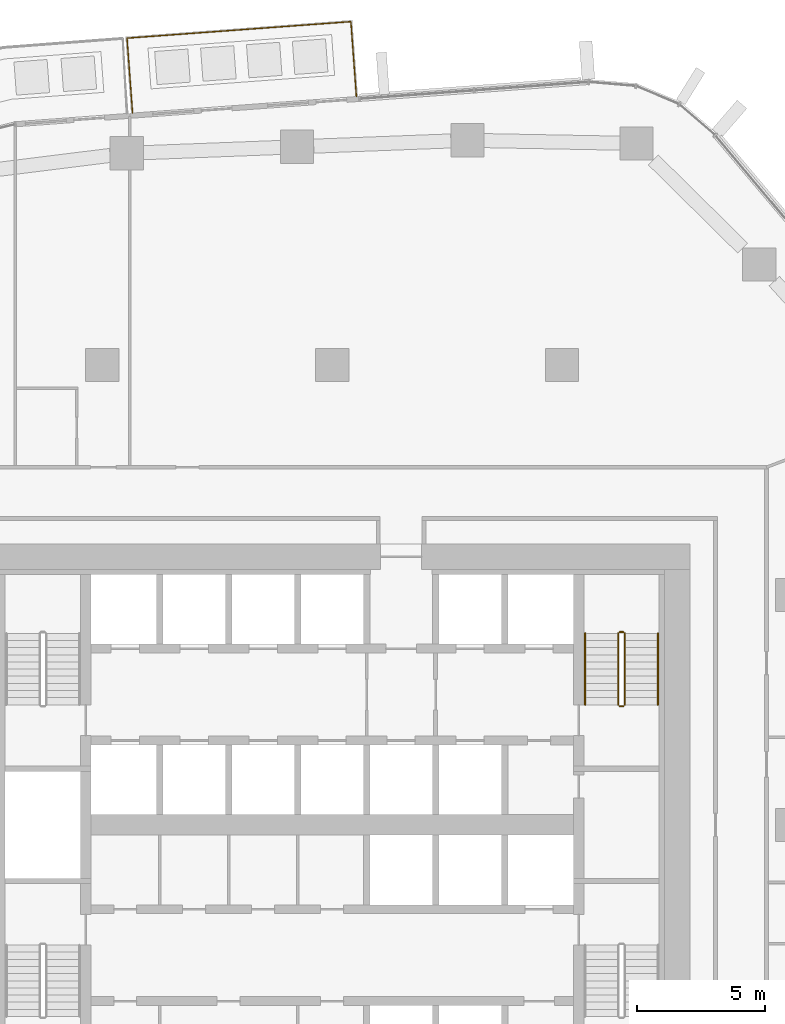
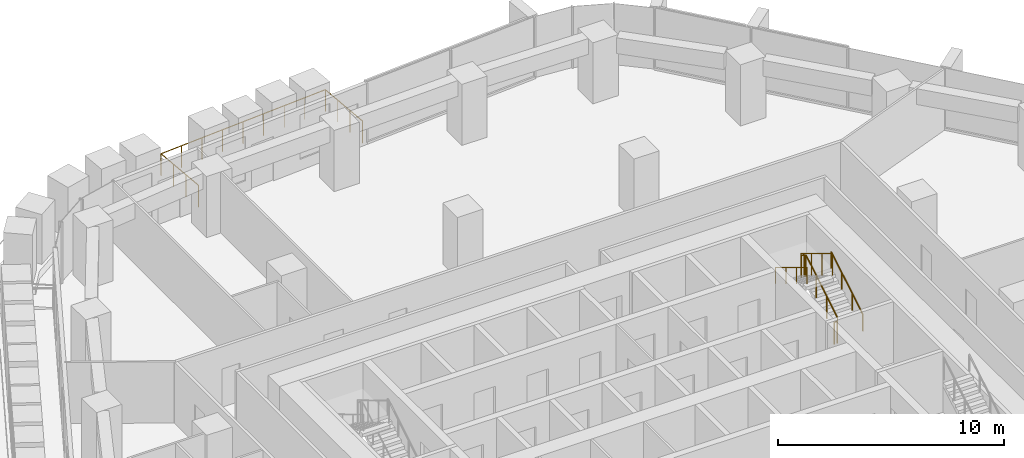
# One storey, part 22 of 23: 7 railings.
"""IFC4 building model written with IfcOpenShell, lengths in metres."""

import ifcopenshell
import ifcopenshell.guid

model = None  # the IFC model being written
_history = None  # IfcOwnerHistory: only IFC2X3 demands one
_inside = {}  # id of a spatial element -> (the spatial element, [elements in it])
_under = {}  # id of a project, library or spatial element -> (it, [spatial elements below it])
_declared = {}  # id of a project -> (the project, [libraries it declares])
_typed = {}  # id of a type object -> (the type object, [elements of that type])
_made_of = {}  # id of a material, layer set ... -> (it, [elements and type objects made of it])


def new_model(schema):
    """Start an empty IFC model of exactly this schema.

    Asked for "IFC4X3", IfcOpenShell would pick the latest addendum, in which some entities
    have other attributes; the version numbers below select the first issue.
    IFC2X3 requires an IfcOwnerHistory on every rooted entity: one is made here for all.
    """
    global model, _history
    if schema == "IFC4X3":
        model = ifcopenshell.file(schema_version=(4, 3, 0, 0))
    else:
        model = ifcopenshell.file(schema=schema)
    _inside.clear()
    _under.clear()
    _declared.clear()
    _typed.clear()
    _made_of.clear()
    _history = None
    if model.schema == "IFC2X3":
        org = make("IfcOrganization", Name="unknown")
        user = make(
            "IfcPersonAndOrganization",
            ThePerson=make("IfcPerson", FamilyName="unknown"),
            TheOrganization=org,
        )
        app = make(
            "IfcApplication",
            ApplicationDeveloper=org,
            Version="unknown",
            ApplicationFullName="unknown",
            ApplicationIdentifier="unknown",
        )
        _history = make(
            "IfcOwnerHistory",
            OwningUser=user,
            OwningApplication=app,
            ChangeAction="ADDED",
            CreationDate=0,
        )
    return model


def make(cls, **values):
    """One entity of the class cls with the attributes given. An attribute that is None is left unset."""
    return model.create_entity(
        cls, **{name: value for name, value in values.items() if value is not None}
    )


def rooted(cls, **values):
    """An entity with a GlobalId (a new one), such as an element, a storey or a relation."""
    return make(cls, GlobalId=ifcopenshell.guid.new(), OwnerHistory=_history, **values)


def si_unit(unit_type, name, prefix=None):
    """IfcSIUnit, for example si_unit("LENGTHUNIT", "METRE", prefix="MILLI")."""
    return make("IfcSIUnit", UnitType=unit_type, Prefix=prefix, Name=name)


def assignment(units):
    """IfcUnitAssignment: the units of a project."""
    return None if units is None else make("IfcUnitAssignment", Units=units)


def point(xyz):
    """IfcCartesianPoint."""
    return None if xyz is None else make("IfcCartesianPoint", Coordinates=xyz)


def direction(xyz):
    """IfcDirection."""
    return None if xyz is None else make("IfcDirection", DirectionRatios=xyz)


def frame(location, z_axis=None, x_axis=None):
    """IfcAxis2Placement3D, a coordinate frame: its origin and axes. An axis left out is left unset."""
    return make(
        "IfcAxis2Placement3D",
        Location=point(location),
        Axis=direction(z_axis),
        RefDirection=direction(x_axis),
    )


def frame_2d(location, x_axis=None):
    """IfcAxis2Placement2D, a coordinate frame in the plane: its origin and x axis."""
    return make(
        "IfcAxis2Placement2D", Location=point(location), RefDirection=direction(x_axis)
    )


def origin():
    """The frame at (0, 0, 0) with its axes left unset."""
    return frame((0.0, 0.0, 0.0))


def origin_2d():
    """The frame at (0, 0) in the plane with its x axis left unset."""
    return frame_2d((0.0, 0.0))


def place(relative_to, where):
    """IfcLocalPlacement: puts the frame where relative to a parent placement (None: the world)."""
    return make(
        "IfcLocalPlacement", PlacementRelTo=relative_to, RelativePlacement=where
    )


def context(
    kind, dimensions, precision=None, world=None, true_north=None, identifier=None
):
    """IfcGeometricRepresentationContext, for example the 3D "Model" context."""
    return make(
        "IfcGeometricRepresentationContext",
        ContextIdentifier=identifier,
        ContextType=kind,
        CoordinateSpaceDimension=dimensions,
        Precision=precision,
        WorldCoordinateSystem=world,
        TrueNorth=true_north,
    )


def subcontext(parent, identifier, kind, view, scale=None):
    """IfcGeometricRepresentationSubContext, for example "Body" below "Model"."""
    return make(
        "IfcGeometricRepresentationSubContext",
        ContextIdentifier=identifier,
        ContextType=kind,
        ParentContext=parent,
        TargetScale=scale,
        TargetView=view,
    )


def project(units=None, contexts=None):
    """IfcProject with its units and contexts."""
    return rooted(
        "IfcProject",
        Name="project",
        RepresentationContexts=contexts,
        UnitsInContext=assignment(units),
    )


def spatial(cls, under=None, at=None, **own):
    """A site, building, storey or space (cls), placed at a placement, below another one or the project."""
    s = rooted(cls, ObjectPlacement=at, **own)
    if under is not None:
        _under.setdefault(under.id(), (under, []))[1].append(s)
    return s


def profile(cls, at=None, kind="AREA", **sizes):
    """A parametric profile (cls). Its sizes go by their IFC names, for example OverallWidth=200.0."""
    return make(cls, ProfileType=kind, Position=at, **sizes)


def circle(**sizes):
    """IfcCircleProfileDef."""
    return profile("IfcCircleProfileDef", **sizes)


def extrude(swept, where, along, depth):
    """IfcExtrudedAreaSolid: the profile swept, set in the frame where, extruded along a direction by depth."""
    return make(
        "IfcExtrudedAreaSolid",
        SweptArea=swept,
        Position=where,
        ExtrudedDirection=direction(along),
        Depth=depth,
    )


def shape(context_of_items, identifier, shape_type, items):
    """IfcShapeRepresentation: the items that make up one representation, for example the "Body"."""
    return make(
        "IfcShapeRepresentation",
        ContextOfItems=context_of_items,
        RepresentationIdentifier=identifier,
        RepresentationType=shape_type,
        Items=items,
    )


def material(Name=None, Category=None):
    """IfcMaterial."""
    return make("IfcMaterial", Name=Name, Category=Category)


def made_of(thing, what):
    """Note that an element or type object is made of a material, layer set ...; save() writes the relation."""
    if what is not None:
        _made_of.setdefault(what.id(), (what, []))[1].append(thing)
    return thing


def type_object(cls, material=None, **own):
    """A type object (cls), such as IfcWallType, which elements share."""
    return made_of(rooted(cls, **own), material)


def element(
    cls,
    number,
    at=None,
    inside=None,
    cuts=None,
    type_object=None,
    material=None,
    context=None,
    identifier="Body",
    shape_type=None,
    held_by="IfcProductDefinitionShape",
    body=None,
    shapes=None,
    **own,
):
    """One element of the class cls, such as IfcWall. Its Tag is "e" and its number.

    at: its placement. inside: the storey or other place that contains it. cuts: it is an
    opening in that element (IfcRelVoidsElement). A single representation is given by context,
    identifier, shape_type and body (its items); several are given by shapes. held_by: the class
    of the entity that holds the representations. save() writes the other relations.
    """
    e = rooted(cls, Tag="e%d" % number, ObjectPlacement=at, **own)
    if body is not None:
        shapes = [shape(context, identifier, shape_type, body)]
    if shapes is not None:
        e.Representation = make(held_by, Representations=shapes)
    if inside is not None:
        _inside.setdefault(inside.id(), (inside, []))[1].append(e)
    if cuts is not None:
        rooted(
            "IfcRelVoidsElement", RelatingBuildingElement=cuts, RelatedOpeningElement=e
        )
    if type_object is not None:
        _typed.setdefault(type_object.id(), (type_object, []))[1].append(e)
    return made_of(e, material)


def aggregate(whole, parts):
    """IfcRelAggregates: a whole, such as a stair, and the parts it consists of."""
    return rooted("IfcRelAggregates", RelatingObject=whole, RelatedObjects=parts)


def save(model, path):
    """Write the relations noted so far, then the file.

    IfcRelAggregates (storeys below a building ...), IfcRelContainedInSpatialStructure (elements
    in a storey), IfcRelDefinesByType, IfcRelAssociatesMaterial and IfcRelDeclares: one each for
    every whole, place, type object, material and project.
    """
    for whole, parts in _under.values():
        aggregate(whole, parts)
    for where, things in _inside.values():
        rooted(
            "IfcRelContainedInSpatialStructure",
            RelatedElements=things,
            RelatingStructure=where,
        )
    for kind, things in _typed.values():
        rooted("IfcRelDefinesByType", RelatedObjects=things, RelatingType=kind)
    for what, things in _made_of.values():
        rooted("IfcRelAssociatesMaterial", RelatedObjects=things, RelatingMaterial=what)
    for by, libraries in _declared.values():
        rooted("IfcRelDeclares", RelatingContext=by, RelatedDefinitions=libraries)
    model.write(path)


model = new_model("IFC4")

# Units and contexts
model_context = context("Model", 3, precision=1e-05, world=origin(), true_north=direction((0.0, 1.0)))
body_context = subcontext(model_context, "Body", "Model", "MODEL_VIEW")
ifc_project = project(units=[si_unit("LENGTHUNIT", "METRE"), si_unit("AREAUNIT", "SQUARE_METRE"), si_unit("VOLUMEUNIT", "CUBIC_METRE"), si_unit("PLANEANGLEUNIT", "RADIAN"), si_unit("MASSUNIT", "GRAM", prefix="KILO")], contexts=[model_context])

# Site, building, storey
site_placement = place(None, origin())
site = spatial("IfcSite", under=ifc_project, at=site_placement, CompositionType="ELEMENT")
building_placement = place(site_placement, origin())
building = spatial("IfcBuilding", under=site, at=building_placement, Name="Dongbaek Canopy Tower", CompositionType="ELEMENT")
storey_placement = place(building_placement, frame((0.0, 0.0, 132.199951171875)))
storey = spatial("IfcBuildingStorey", under=building, at=storey_placement, Name="L29", CompositionType="ELEMENT", Elevation=132.199951171875)

# Railings
ifc_material_1 = material(Name="Stainless steel", Category="steel")
railing_type_1 = type_object("IfcRailingType", Name="Balcony balustrade 1200", PredefinedType="BALUSTRADE", material=ifc_material_1)
railing_1_placement = place(storey_placement, frame((0.94775390625, 28.5107421875, 0.0)))
element("IfcRailing", 1, at=railing_1_placement, inside=storey, type_object=railing_type_1, Name="Balcony guard L29 1", PredefinedType="BALUSTRADE", context=body_context, shape_type="SweptSolid", body=[
    extrude(circle(Radius=0.02392578125, at=origin_2d()), frame((0.0, 0.0, 1.17578125), z_axis=(-0.073489339085, 0.99729600272, 0.0), x_axis=(-0.99729600272, -0.073489339085, 0.0)), (0.0, 0.0, 1.0), 2.940185546875),
    extrude(circle(Radius=0.02392578125, at=origin_2d()), frame((-0.216064453125, 2.93212890625, 1.17578125), z_axis=(-0.997293170892, -0.07352775865, 0.0), x_axis=(0.07352775865, -0.997293170892, 0.0)), (0.0, 0.0, 1.0), 8.78564453125),
    extrude(circle(Radius=0.02392578125, at=origin_2d()), frame((-8.97802734375, 2.2861328125, 1.17578125), z_axis=(0.073489339085, -0.99729600272, 0.0), x_axis=(0.99729600272, 0.073489339085, 0.0)), (0.0, 0.0, 1.0), 2.940185546875),
    extrude(circle(Radius=0.02099609375, at=origin_2d()), origin(), (0.0, 0.0, 1.0), 1.15185546875),
    extrude(circle(Radius=0.02099609375, at=origin_2d()), frame((-0.072021484375, 0.977294921875, 0.0)), (0.0, 0.0, 1.0), 1.15185546875),
    extrude(circle(Radius=0.02099609375, at=origin_2d()), frame((-0.14404296875, 1.954833984375, 0.0)), (0.0, 0.0, 1.0), 1.15185546875),
    extrude(circle(Radius=0.02099609375, at=origin_2d()), frame((-0.216064453125, 2.93212890625, 0.0)), (0.0, 0.0, 1.0), 1.15185546875),
    extrude(circle(Radius=0.02099609375, at=origin_2d()), frame((-1.311279296875, 2.851318359375, 0.0)), (0.0, 0.0, 1.0), 1.15185546875),
    extrude(circle(Radius=0.02099609375, at=origin_2d()), frame((-2.406494140625, 2.7705078125, 0.0)), (0.0, 0.0, 1.0), 1.15185546875),
    extrude(circle(Radius=0.02099609375, at=origin_2d()), frame((-3.501708984375, 2.68994140625, 0.0)), (0.0, 0.0, 1.0), 1.15185546875),
    extrude(circle(Radius=0.02099609375, at=origin_2d()), frame((-4.59716796875, 2.609130859375, 0.0)), (0.0, 0.0, 1.0), 1.15185546875),
    extrude(circle(Radius=0.02099609375, at=origin_2d()), frame((-5.6923828125, 2.5283203125, 0.0)), (0.0, 0.0, 1.0), 1.15185546875),
    extrude(circle(Radius=0.02099609375, at=origin_2d()), frame((-6.78759765625, 2.44775390625, 0.0)), (0.0, 0.0, 1.0), 1.15185546875),
    extrude(circle(Radius=0.02099609375, at=origin_2d()), frame((-7.8828125, 2.366943359375, 0.0)), (0.0, 0.0, 1.0), 1.15185546875),
    extrude(circle(Radius=0.02099609375, at=origin_2d()), frame((-8.97802734375, 2.2861328125, 0.0)), (0.0, 0.0, 1.0), 1.15185546875),
    extrude(circle(Radius=0.02099609375, at=origin_2d()), frame((-8.906005859375, 1.308837890625, 0.0)), (0.0, 0.0, 1.0), 1.15185546875),
    extrude(circle(Radius=0.02099609375, at=origin_2d()), frame((-8.833984375, 0.331298828125, 0.0)), (0.0, 0.0, 1.0), 1.15185546875),
    extrude(circle(Radius=0.02099609375, at=origin_2d()), frame((-8.761962890625, -0.64599609375, 0.0)), (0.0, 0.0, 1.0), 1.15185546875),
])
ifc_material_2 = material(Name="Stainless steel tube and balusters", Category="steel")
railing_type_2 = type_object("IfcRailingType", Name="Stair guard 1200", PredefinedType="GUARDRAIL", material=ifc_material_2)
railing_2_placement = place(storey_placement, frame((11.449951171875, 4.699951171875, 0.168212890625)))
element("IfcRailing", 2, at=railing_2_placement, inside=storey, type_object=railing_type_2, Name="L29 ST-A stair guard 1", PredefinedType="GUARDRAIL", context=body_context, shape_type="SweptSolid", body=[
    extrude(circle(Radius=0.02392578125, at=origin_2d()), frame((0.0, 0.0, 1.17578125), z_axis=(0.0, 0.857242210791, 0.514913383045), x_axis=(-1.0, 0.0, 0.0)), (0.0, 0.0, 1.0), 3.266357421875),
    extrude(circle(Radius=0.02099609375, at=origin_2d()), origin(), (0.0, 0.0, 1.0), 1.15185546875),
    extrude(circle(Radius=0.02099609375, at=origin_2d()), frame((0.0, 0.933349609375, 0.560546875)), (0.0, 0.0, 1.0), 1.15185546875),
    extrude(circle(Radius=0.02099609375, at=origin_2d()), frame((0.0, 1.86669921875, 1.121337890625)), (0.0, 0.0, 1.0), 1.15185546875),
    extrude(circle(Radius=0.02099609375, at=origin_2d()), frame((0.0, 2.800048828125, 1.681884765625)), (0.0, 0.0, 1.0), 1.15185546875),
])
railing_3_placement = place(storey_placement, frame((11.39990234375, 7.550048828125, 1.85009765625)))
element("IfcRailing", 3, at=railing_3_placement, inside=storey, type_object=railing_type_2, Name="L29 ST-A stair guard 2", PredefinedType="GUARDRAIL", context=body_context, shape_type="SweptSolid", body=[
    extrude(circle(Radius=0.02392578125, at=origin_2d()), frame((0.0, 0.0, 1.17578125), z_axis=(-1.0, 0.0, 0.0), x_axis=(0.0, -1.0, 0.0)), (0.0, 0.0, 1.0), 0.14990234375),
    extrude(circle(Radius=0.02099609375, at=origin_2d()), origin(), (0.0, 0.0, 1.0), 1.15185546875),
    extrude(circle(Radius=0.02099609375, at=origin_2d()), frame((-0.14990234375, 0.0, 0.0)), (0.0, 0.0, 1.0), 1.15185546875),
])
railing_4_placement = place(storey_placement, frame((11.199951171875, 7.5, 2.018310546875)))
element("IfcRailing", 4, at=railing_4_placement, inside=storey, type_object=railing_type_2, Name="L29 ST-A stair guard 3", PredefinedType="GUARDRAIL", context=body_context, shape_type="SweptSolid", body=[
    extrude(circle(Radius=0.02392578125, at=origin_2d()), frame((0.0, 0.0, 1.17578125), z_axis=(0.0, -0.857275202839, 0.514858452973), x_axis=(1.0, 0.0, 0.0)), (0.0, 0.0, 1.0), 3.26611328125),
    extrude(circle(Radius=0.02099609375, at=origin_2d()), origin(), (0.0, 0.0, 1.0), 1.15185546875),
    extrude(circle(Radius=0.02099609375, at=origin_2d()), frame((0.0, -0.933349609375, 0.560546875)), (0.0, 0.0, 1.0), 1.15185546875),
    extrude(circle(Radius=0.02099609375, at=origin_2d()), frame((0.0, -1.86669921875, 1.12109375)), (0.0, 0.0, 1.0), 1.15185546875),
    extrude(circle(Radius=0.02099609375, at=origin_2d()), frame((0.0, -2.800048828125, 1.681640625)), (0.0, 0.0, 1.0), 1.15185546875),
])
railing_5_placement = place(storey_placement, frame((11.39990234375, 4.64990234375, 0.0)))
element("IfcRailing", 5, at=railing_5_placement, inside=storey, type_object=railing_type_2, Name="L29 ST-A stair guard 4", PredefinedType="GUARDRAIL", context=body_context, shape_type="SweptSolid", body=[
    extrude(circle(Radius=0.02392578125, at=origin_2d()), frame((0.0, 0.0, 1.17578125), z_axis=(-1.0, 0.0, 0.0), x_axis=(0.0, -1.0, 0.0)), (0.0, 0.0, 1.0), 0.14990234375),
    extrude(circle(Radius=0.02099609375, at=origin_2d()), origin(), (0.0, 0.0, 1.0), 1.15185546875),
    extrude(circle(Radius=0.02099609375, at=origin_2d()), frame((-0.14990234375, 0.0, 0.0)), (0.0, 0.0, 1.0), 1.15185546875),
])
ifc_material_3 = material(Name="Stainless steel tube", Category="steel")
railing_type_3 = type_object("IfcRailingType", Name="Stair handrail 900", PredefinedType="HANDRAIL", material=ifc_material_3)
railing_6_placement = place(storey_placement, frame((12.75, 4.699951171875, 0.168212890625)))
element("IfcRailing", 6, at=railing_6_placement, inside=storey, type_object=railing_type_3, Name="L29 ST-A stair handrail 1", PredefinedType="HANDRAIL", context=body_context, shape_type="SweptSolid", body=[
    extrude(circle(Radius=0.02392578125, at=origin_2d()), frame((0.0, 0.0, 0.8759765625), z_axis=(0.0, 0.857242210791, 0.514913383045), x_axis=(-1.0, 0.0, 0.0)), (0.0, 0.0, 1.0), 3.266357421875),
    extrude(circle(Radius=0.02099609375, at=origin_2d()), origin(), (0.0, 0.0, 1.0), 0.851806640625),
    extrude(circle(Radius=0.02099609375, at=origin_2d()), frame((0.0, 0.933349609375, 0.560546875)), (0.0, 0.0, 1.0), 0.851806640625),
    extrude(circle(Radius=0.02099609375, at=origin_2d()), frame((0.0, 1.86669921875, 1.121337890625)), (0.0, 0.0, 1.0), 0.851806640625),
    extrude(circle(Radius=0.02099609375, at=origin_2d()), frame((0.0, 2.800048828125, 1.681884765625)), (0.0, 0.0, 1.0), 0.851806640625),
])
railing_7_placement = place(storey_placement, frame((9.89990234375, 7.5, 2.018310546875)))
element("IfcRailing", 7, at=railing_7_placement, inside=storey, type_object=railing_type_3, Name="L29 ST-A stair handrail 2", PredefinedType="HANDRAIL", context=body_context, shape_type="SweptSolid", body=[
    extrude(circle(Radius=0.02392578125, at=origin_2d()), frame((0.0, 0.0, 0.8759765625), z_axis=(0.0, -0.857275202839, 0.514858452973), x_axis=(1.0, 0.0, 0.0)), (0.0, 0.0, 1.0), 3.26611328125),
    extrude(circle(Radius=0.02099609375, at=origin_2d()), origin(), (0.0, 0.0, 1.0), 0.851806640625),
    extrude(circle(Radius=0.02099609375, at=origin_2d()), frame((0.0, -0.933349609375, 0.560546875)), (0.0, 0.0, 1.0), 0.851806640625),
    extrude(circle(Radius=0.02099609375, at=origin_2d()), frame((0.0, -1.86669921875, 1.12109375)), (0.0, 0.0, 1.0), 0.851806640625),
    extrude(circle(Radius=0.02099609375, at=origin_2d()), frame((0.0, -2.800048828125, 1.681640625)), (0.0, 0.0, 1.0), 0.851806640625),
])

save(model, "model.ifc")
